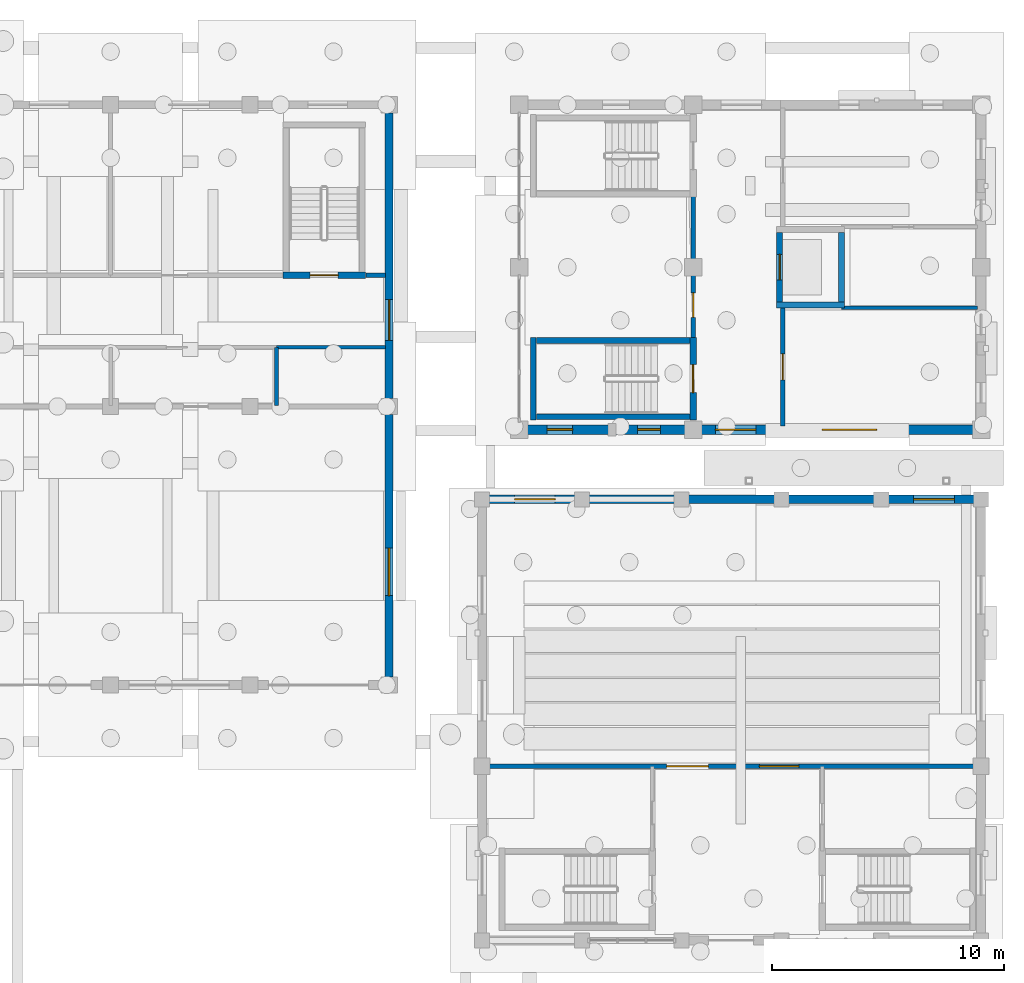
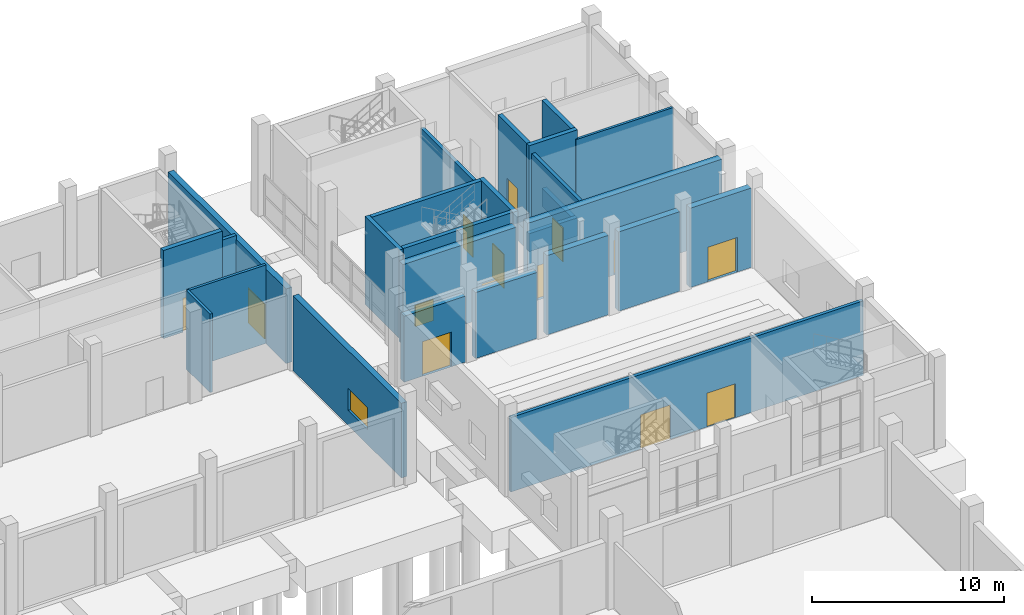
# One storey, part 43 of 60: 27 walls, 12 doors, 3 windows, 15 openings.
"""IFC4 building model written with IfcOpenShell, lengths in metres."""

from ifc_helpers import new_model, si_unit, direction, frame, frame_2d, origin, place, context, subcontext, project, spatial, rectangle, extrude, material, layer, layer_set, type_object, element, fill, save


model = new_model("IFC4")

# Units and contexts
model_context = context("Model", 3, precision=1e-05, world=origin(), true_north=direction((0.0, 1.0)))
body_context = subcontext(model_context, "Body", "Model", "MODEL_VIEW")
ifc_project = project(units=[si_unit("LENGTHUNIT", "METRE"), si_unit("AREAUNIT", "SQUARE_METRE"), si_unit("VOLUMEUNIT", "CUBIC_METRE"), si_unit("PLANEANGLEUNIT", "RADIAN"), si_unit("MASSUNIT", "GRAM", prefix="KILO")], contexts=[model_context])

# Site, building, storey
site_placement = place(None, origin())
site = spatial("IfcSite", under=ifc_project, at=site_placement, CompositionType="ELEMENT")
building_placement = place(site_placement, origin())
building = spatial("IfcBuilding", under=site, at=building_placement, Name="Trellovar Central Fire Station", CompositionType="ELEMENT")
storey_placement = place(building_placement, origin())
storey = spatial("IfcBuildingStorey", under=building, at=storey_placement, Name="L01", CompositionType="ELEMENT", Elevation=0.0)

# Wall, openings, windows
ifc_material_1 = material(Name="Catalan polychrome brickwork with insulated cavity", Category="masonry")
ifc_layer_1 = layer(ifc_material_1, 0.419921875)
ifc_layer_set_1 = layer_set([ifc_layer_1], Name="Catalan polychrome brickwork with insulated cavity")
wall_type_1 = type_object("IfcWallType", Name="EW-1", PredefinedType="STANDARD", material=ifc_layer_set_1)
wall_1_placement = place(storey_placement, frame((141.449951171875, 59.0, 0.0), z_axis=(0.0, 0.0, 1.0), x_axis=(1.0, 0.0, 0.0)))
wall_1 = element("IfcWall", 1, at=wall_1_placement, inside=storey, type_object=wall_type_1, Name="V2 L01 south west bay wall", PredefinedType="STANDARD", context=body_context, shape_type="SweptSolid", body=[
    extrude(rectangle(XDim=6.800048828125, YDim=0.419921875, at=frame_2d((3.39990234375, 0.0))), origin(), (0.0, 0.0, 1.0), 5.10009765625),
])
opening_1_placement = place(wall_1_placement, frame((0.85009765625, 0.0, 0.75)))
opening_1 = element("IfcOpeningElement", 2, at=opening_1_placement, cuts=wall_1, Name="Opening W-17", PredefinedType="OPENING", context=body_context, shape_type="SweptSolid", body=[
    extrude(rectangle(XDim=1.10009765625, YDim=1.35009765625, at=frame_2d((0.550048828125, 0.675048828125))), frame((0.0, 0.219970703125, 0.0), z_axis=(0.0, -1.0, 0.0), x_axis=(1.0, 0.0, 0.0)), (0.0, 0.0, 1.0), 0.43994140625),
])
opening_2_placement = place(wall_1_placement, frame((4.75, 0.0, 0.75)))
opening_2 = element("IfcOpeningElement", 3, at=opening_2_placement, cuts=wall_1, Name="Opening W-20", PredefinedType="OPENING", context=body_context, shape_type="SweptSolid", body=[
    extrude(rectangle(XDim=0.97998046875, YDim=1.449951171875, at=frame_2d((0.489990234375, 0.72509765625))), frame((0.0, 0.219970703125, 0.0), z_axis=(0.0, -1.0, 0.0), x_axis=(1.0, 0.0, 0.0)), (0.0, 0.0, 1.0), 0.43994140625),
])
ifc_material_2 = material(Name="Thermally broken bronze anodized aluminum", Category="aluminium")
window_type_1 = type_object("IfcWindowType", Name="WIN-17", PartitioningType="SINGLE_PANEL", PredefinedType="WINDOW", material=ifc_material_2)
window_1_placement = place(opening_1_placement, origin())
window_1 = element("IfcWindow", 4, at=window_1_placement, inside=storey, type_object=window_type_1, Name="L01 window W-17", OverallHeight=1.35009765625, OverallWidth=1.10009765625, PartitioningType="SINGLE_PANEL", PredefinedType="WINDOW", context=body_context, shape_type="SweptSolid", body=[
    extrude(rectangle(XDim=1.10009765625, YDim=1.35009765625, at=frame_2d((0.550048828125, 0.675048828125))), frame((0.0, 0.030029296875, 0.0), z_axis=(0.0, -1.0, 0.0), x_axis=(1.0, 0.0, 0.0)), (0.0, 0.0, 1.0), 0.06005859375),
])
fill(opening_1, window_1)
ifc_material_3 = material(Name="Thermally broken bronze anodized aluminum", Category="aluminium")
window_type_2 = type_object("IfcWindowType", Name="WIN-20", PartitioningType="SINGLE_PANEL", PredefinedType="WINDOW", material=ifc_material_3)
window_2_placement = place(opening_2_placement, origin())
window_2 = element("IfcWindow", 5, at=window_2_placement, inside=storey, type_object=window_type_2, Name="L01 window W-20", OverallHeight=1.449951171875, OverallWidth=0.97998046875, PartitioningType="SINGLE_PANEL", PredefinedType="WINDOW", context=body_context, shape_type="SweptSolid", body=[
    extrude(rectangle(XDim=0.97998046875, YDim=1.449951171875, at=frame_2d((0.489990234375, 0.72509765625))), frame((0.0, 0.030029296875, 0.0), z_axis=(0.0, -1.0, 0.0), x_axis=(1.0, 0.0, 0.0)), (0.0, 0.0, 1.0), 0.06005859375),
])
fill(opening_2, window_2)

# Wall, openings, doors
wall_2_placement = place(storey_placement, frame((148.949951171875, 59.0, 0.0), z_axis=(0.0, 0.0, 1.0), x_axis=(1.0, 0.0, 0.0)))
wall_2 = element("IfcWall", 6, at=wall_2_placement, inside=storey, type_object=wall_type_1, Name="V2 L01 south training deck wall", PredefinedType="STANDARD", context=body_context, shape_type="SweptSolid", body=[
    extrude(rectangle(XDim=11.699951171875, YDim=0.419921875, at=frame_2d((5.85009765625, 0.0))), origin(), (0.0, 0.0, 1.0), 5.10009765625),
])
opening_3_placement = place(wall_2_placement, frame((0.60009765625, 0.0, 0.0)))
opening_3 = element("IfcOpeningElement", 7, at=opening_3_placement, cuts=wall_2, Name="Opening EX-2", PredefinedType="OPENING", context=body_context, shape_type="SweptSolid", body=[
    extrude(rectangle(XDim=1.75, YDim=2.199951171875, at=frame_2d((0.875, 1.10009765625))), frame((0.0, 0.219970703125, 0.0), z_axis=(0.0, -1.0, 0.0), x_axis=(1.0, 0.0, 0.0)), (0.0, 0.0, 1.0), 0.43994140625),
])
opening_4_placement = place(wall_2_placement, frame((5.199951171875, 0.0, 0.0)))
opening_4 = element("IfcOpeningElement", 8, at=opening_4_placement, cuts=wall_2, Name="Opening GT-1", PredefinedType="OPENING", context=body_context, shape_type="SweptSolid", body=[
    extrude(rectangle(XDim=2.35009765625, YDim=2.199951171875, at=frame_2d((1.175048828125, 1.10009765625))), frame((0.0, 0.219970703125, 0.0), z_axis=(0.0, -1.0, 0.0), x_axis=(1.0, 0.0, 0.0)), (0.0, 0.0, 1.0), 0.43994140625),
])
ifc_material_4 = material(Name="Hollow galvanized steel with acoustic core", Category="steel")
door_type_1 = type_object("IfcDoorType", Name="DR-EXT2", OperationType="DOUBLE_DOOR_SINGLE_SWING", PredefinedType="DOOR", material=ifc_material_4)
door_1_placement = place(opening_3_placement, frame((1.75, 0.0, 0.0), z_axis=(0.0, 0.0, 1.0), x_axis=(-1.0, 0.0, 0.0)))
door_1 = element("IfcDoor", 9, at=door_1_placement, inside=storey, type_object=door_type_1, Name="Drill tower ground lobby yard exit", OperationType="DOUBLE_DOOR_SINGLE_SWING", OverallHeight=2.199951171875, OverallWidth=1.75, PredefinedType="DOOR", context=body_context, shape_type="SweptSolid", body=[
    extrude(rectangle(XDim=1.75, YDim=2.199951171875, at=frame_2d((0.875, 1.10009765625))), frame((0.0, 0.02490234375, 0.0), z_axis=(0.0, -1.0, 0.0), x_axis=(1.0, 0.0, 0.0)), (0.0, 0.0, 1.0), 0.050048828125),
])
fill(opening_3, door_1)
ifc_material_5 = material(Name="Patina bronze wrought metalwork", Category="metal")
door_type_2 = type_object("IfcDoorType", Name="DR-GATE1", OperationType="DOUBLE_DOOR_SINGLE_SWING", PredefinedType="DOOR", material=ifc_material_5)
door_2_placement = place(opening_4_placement, frame((2.35009765625, 0.0, 0.0), z_axis=(0.0, 0.0, 1.0), x_axis=(-1.0, 0.0, 0.0)))
door_2 = element("IfcDoor", 10, at=door_2_placement, inside=storey, type_object=door_type_2, Name="Hose staging hall yard double portal", OperationType="DOUBLE_DOOR_SINGLE_SWING", OverallHeight=2.199951171875, OverallWidth=2.35009765625, PredefinedType="DOOR", context=body_context, shape_type="SweptSolid", body=[
    extrude(rectangle(XDim=2.35009765625, YDim=2.199951171875, at=frame_2d((1.175048828125, 1.10009765625))), frame((0.0, 0.02490234375, 0.0), z_axis=(0.0, -1.0, 0.0), x_axis=(1.0, 0.0, 0.0)), (0.0, 0.0, 1.0), 0.050048828125),
])
fill(opening_4, door_2)

# Wall, opening, door
ifc_material_6 = material(Name="Catalan polychrome brickwork with insulated cavity", Category="masonry")
ifc_layer_2 = layer(ifc_material_6, 0.3798828125)
ifc_layer_set_2 = layer_set([ifc_layer_2], Name="Catalan polychrome brickwork with insulated cavity")
wall_type_2 = type_object("IfcWallType", Name="EW-2", PredefinedType="STANDARD", material=ifc_layer_set_2)
wall_3_placement = place(storey_placement, frame((143.5, 56.0, 0.0), z_axis=(0.0, 0.0, 1.0), x_axis=(-1.0, 0.0, 0.0)))
wall_3 = element("IfcWall", 11, at=wall_3_placement, inside=storey, type_object=wall_type_2, Name="V3 north stage wall 1", PredefinedType="STANDARD", context=body_context, shape_type="SweptSolid", body=[
    extrude(rectangle(XDim=3.699951171875, YDim=0.3798828125, at=frame_2d((1.85009765625, 0.0))), origin(), (0.0, 0.0, 1.0), 4.199951171875),
])
opening_5_placement = place(wall_3_placement, frame((0.85009765625, 0.0, 0.0)))
opening_5 = element("IfcOpeningElement", 12, at=opening_5_placement, cuts=wall_3, Name="Opening EX-2", PredefinedType="OPENING", context=body_context, shape_type="SweptSolid", body=[
    extrude(rectangle(XDim=1.75, YDim=2.199951171875, at=frame_2d((0.875, 1.10009765625))), frame((0.0, 0.199951171875, 0.0), z_axis=(0.0, -1.0, 0.0), x_axis=(1.0, 0.0, 0.0)), (0.0, 0.0, 1.0), 0.39990234375),
])
door_3_placement = place(opening_5_placement, frame((1.75, 0.0, 0.0), z_axis=(0.0, 0.0, 1.0), x_axis=(-1.0, 0.0, 0.0)))
door_3 = element("IfcDoor", 13, at=door_3_placement, inside=storey, type_object=door_type_1, Name="Auditorium north stage exit 1", OperationType="DOUBLE_DOOR_SINGLE_SWING", OverallHeight=2.199951171875, OverallWidth=1.75, PredefinedType="DOOR", context=body_context, shape_type="SweptSolid", body=[
    extrude(rectangle(XDim=1.75, YDim=2.199951171875, at=frame_2d((0.875, 1.10009765625))), frame((0.0, 0.02490234375, 0.0), z_axis=(0.0, -1.0, 0.0), x_axis=(1.0, 0.0, 0.0)), (0.0, 0.0, 1.0), 0.050048828125),
])
fill(opening_5, door_3)

# Walls
wall_4_placement = place(storey_placement, frame((147.800048828125, 56.0, 0.0), z_axis=(0.0, 0.0, 1.0), x_axis=(-1.0, 0.0, 0.0)))
element("IfcWall", 14, at=wall_4_placement, inside=storey, type_object=wall_type_2, Name="V3 north stage wall 2", PredefinedType="STANDARD", context=body_context, shape_type="SweptSolid", body=[
    extrude(rectangle(XDim=3.699951171875, YDim=0.3798828125, at=frame_2d((1.85009765625, 0.0))), origin(), (0.0, 0.0, 1.0), 4.199951171875),
])
wall_5_placement = place(storey_placement, frame((152.10009765625, 56.0, 0.0), z_axis=(0.0, 0.0, 1.0), x_axis=(-1.0, 0.0, 0.0)))
element("IfcWall", 15, at=wall_5_placement, inside=storey, type_object=wall_type_2, Name="V3 north stage wall 3", PredefinedType="STANDARD", context=body_context, shape_type="SweptSolid", body=[
    extrude(rectangle(XDim=3.7001953125, YDim=0.3798828125, at=frame_2d((1.85009765625, 0.0))), origin(), (0.0, 0.0, 1.0), 5.050048828125),
])
wall_6_placement = place(storey_placement, frame((156.39990234375, 56.0, 0.0), z_axis=(0.0, 0.0, 1.0), x_axis=(-1.0, 0.0, 0.0)))
element("IfcWall", 16, at=wall_6_placement, inside=storey, type_object=wall_type_2, Name="V3 north stage wall 4", PredefinedType="STANDARD", context=body_context, shape_type="SweptSolid", body=[
    extrude(rectangle(XDim=3.699951171875, YDim=0.3798828125, at=frame_2d((1.85009765625, 0.0))), origin(), (0.0, 0.0, 1.0), 5.050048828125),
])

# Wall, opening, door
wall_7_placement = place(storey_placement, frame((160.699951171875, 56.0, 0.0), z_axis=(0.0, 0.0, 1.0), x_axis=(-1.0, 0.0, 0.0)))
wall_7 = element("IfcWall", 17, at=wall_7_placement, inside=storey, type_object=wall_type_2, Name="V3 north stage wall 5", PredefinedType="STANDARD", context=body_context, shape_type="SweptSolid", body=[
    extrude(rectangle(XDim=3.699951171875, YDim=0.3798828125, at=frame_2d((1.85009765625, 0.0))), origin(), (0.0, 0.0, 1.0), 5.050048828125),
])
opening_6_placement = place(wall_7_placement, frame((0.85009765625, 0.0, 0.0)))
opening_6 = element("IfcOpeningElement", 18, at=opening_6_placement, cuts=wall_7, Name="Opening EX-2", PredefinedType="OPENING", context=body_context, shape_type="SweptSolid", body=[
    extrude(rectangle(XDim=1.75, YDim=2.199951171875, at=frame_2d((0.875, 1.10009765625))), frame((0.0, 0.199951171875, 0.0), z_axis=(0.0, -1.0, 0.0), x_axis=(1.0, 0.0, 0.0)), (0.0, 0.0, 1.0), 0.39990234375),
])
door_4_placement = place(opening_6_placement, frame((1.75, 0.0, 0.0), z_axis=(0.0, 0.0, 1.0), x_axis=(-1.0, 0.0, 0.0)))
door_4 = element("IfcDoor", 19, at=door_4_placement, inside=storey, type_object=door_type_1, Name="Auditorium north stage exit 5", OperationType="DOUBLE_DOOR_SINGLE_SWING", OverallHeight=2.199951171875, OverallWidth=1.75, PredefinedType="DOOR", context=body_context, shape_type="SweptSolid", body=[
    extrude(rectangle(XDim=1.75, YDim=2.199951171875, at=frame_2d((0.875, 1.10009765625))), frame((0.0, 0.02490234375, 0.0), z_axis=(0.0, -1.0, 0.0), x_axis=(1.0, 0.0, 0.0)), (0.0, 0.0, 1.0), 0.050048828125),
])
fill(opening_6, door_4)

# Wall, opening, window
ifc_material_7 = material(Name="Textured desert sandstone masonry", Category="masonry")
ifc_layer_3 = layer(ifc_material_7, 0.340087890625)
ifc_layer_set_3 = layer_set([ifc_layer_3], Name="Textured desert sandstone masonry")
wall_type_3 = type_object("IfcWallType", Name="EW-3", PredefinedType="STANDARD", material=ifc_layer_set_3)
wall_8_placement = place(storey_placement, frame((135.5, 48.35009765625, 0.0), z_axis=(0.0, 0.0, 1.0), x_axis=(0.0, 1.0, 0.0)))
wall_8 = element("IfcWall", 20, at=wall_8_placement, inside=storey, type_object=wall_type_3, Name="V6 L01 E workshop wall", PredefinedType="STANDARD", context=body_context, shape_type="SweptSolid", body=[
    extrude(rectangle(XDim=11.2998046875, YDim=0.340087890625, at=frame_2d((5.64990234375, 0.0))), origin(), (0.0, 0.0, 1.0), 4.749267578125),
])
opening_7_placement = place(wall_8_placement, frame((3.5, 0.0, 0.949951171875)))
opening_7 = element("IfcOpeningElement", 21, at=opening_7_placement, cuts=wall_8, Name="Opening W-15", PredefinedType="OPENING", context=body_context, shape_type="SweptSolid", body=[
    extrude(rectangle(XDim=2.050048828125, YDim=1.39990234375, at=frame_2d((1.02490234375, 0.699951171875))), frame((0.0, 0.179931640625, 0.0), z_axis=(0.0, -1.0, 0.0), x_axis=(1.0, 0.0, 0.0)), (0.0, 0.0, 1.0), 0.360107421875),
])
ifc_material_8 = material(Name="Thermally broken bronze anodized aluminum", Category="aluminium")
window_type_3 = type_object("IfcWindowType", Name="WIN-15", PartitioningType="DOUBLE_PANEL_VERTICAL", PredefinedType="WINDOW", material=ifc_material_8)
window_3_placement = place(opening_7_placement, origin())
window_3 = element("IfcWindow", 22, at=window_3_placement, inside=storey, type_object=window_type_3, Name="L01 window W-15", OverallHeight=1.39990234375, OverallWidth=2.050048828125, PartitioningType="DOUBLE_PANEL_VERTICAL", PredefinedType="WINDOW", context=body_context, shape_type="SweptSolid", body=[
    extrude(rectangle(XDim=2.050048828125, YDim=1.39990234375, at=frame_2d((1.02490234375, 0.699951171875))), frame((0.0, 0.030029296875, 0.0), z_axis=(0.0, -1.0, 0.0), x_axis=(1.0, 0.0, 0.0)), (0.0, 0.0, 1.0), 0.06005859375),
])
fill(opening_7, window_3)

# Wall, opening, door
wall_9_placement = place(storey_placement, frame((135.5, 60.35009765625, 0.0), z_axis=(0.0, 0.0, 1.0), x_axis=(0.0, 1.0, 0.0)))
wall_9 = element("IfcWall", 23, at=wall_9_placement, inside=storey, type_object=wall_type_3, Name="V6 L01 E north wall", PredefinedType="STANDARD", context=body_context, shape_type="SweptSolid", body=[
    extrude(rectangle(XDim=12.2998046875, YDim=0.340087890625, at=frame_2d((6.14990234375, 0.0))), origin(), (0.0, 0.0, 1.0), 4.749267578125),
])
opening_8_placement = place(wall_9_placement, frame((2.5, 0.0, 0.0)))
opening_8 = element("IfcOpeningElement", 24, at=opening_8_placement, cuts=wall_9, Name="Opening EX-2", PredefinedType="OPENING", context=body_context, shape_type="SweptSolid", body=[
    extrude(rectangle(XDim=1.75, YDim=2.199951171875, at=frame_2d((0.875, 1.10009765625))), frame((0.0, 0.179931640625, 0.0), z_axis=(0.0, -1.0, 0.0), x_axis=(1.0, 0.0, 0.0)), (0.0, 0.0, 1.0), 0.360107421875),
])
door_5_placement = place(opening_8_placement, frame((1.75, 0.0, 0.0), z_axis=(0.0, 0.0, 1.0), x_axis=(-1.0, 0.0, 0.0)))
door_5 = element("IfcDoor", 25, at=door_5_placement, inside=storey, type_object=door_type_1, Name="Fleet corridor E yard exit", OperationType="DOUBLE_DOOR_SINGLE_SWING", OverallHeight=2.199951171875, OverallWidth=1.75, PredefinedType="DOOR", context=body_context, shape_type="SweptSolid", body=[
    extrude(rectangle(XDim=1.75, YDim=2.199951171875, at=frame_2d((0.875, 1.10009765625))), frame((0.0, 0.02490234375, 0.0), z_axis=(0.0, -1.0, 0.0), x_axis=(1.0, 0.0, 0.0)), (0.0, 0.0, 1.0), 0.050048828125),
])
fill(opening_8, door_5)

# Wall
ifc_material_9 = material(Name="Acoustic concrete masonry unit", Category="masonry")
ifc_layer_4 = layer(ifc_material_9, 0.199951171875)
ifc_layer_set_4 = layer_set([ifc_layer_4], Name="Acoustic concrete masonry unit")
wall_type_4 = type_object("IfcWallType", Name="PT-1", PredefinedType="PARTITIONING", material=ifc_layer_set_4)
wall_10_placement = place(storey_placement, frame((134.5, 65.659912109375, 0.0), z_axis=(0.0, 0.0, 1.0), x_axis=(1.0, 0.0, 0.0)))
element("IfcWall", 26, at=wall_10_placement, inside=storey, type_object=wall_type_4, Name="V6 L01 NE stub wall", PredefinedType="PARTITIONING", context=body_context, shape_type="SweptSolid", body=[
    extrude(rectangle(XDim=0.85009765625, YDim=0.199951171875, at=frame_2d((0.425048828125, 0.0))), origin(), (0.0, 0.0, 1.0), 5.0),
])

# Wall, openings, doors
wall_11_placement = place(storey_placement, frame((139.64990234375, 44.5, 0.0), z_axis=(0.0, 0.0, 1.0), x_axis=(1.0, 0.0, 0.0)))
wall_11 = element("IfcWall", 27, at=wall_11_placement, inside=storey, type_object=wall_type_4, Name="V3 L01 auditorium acoustic wall", PredefinedType="PARTITIONING", context=body_context, shape_type="SweptSolid", body=[
    extrude(rectangle(XDim=21.2001953125, YDim=0.199951171875, at=frame_2d((10.60009765625, 0.0))), origin(), (0.0, 0.0, 1.0), 4.739990234375),
])
opening_9_placement = place(wall_11_placement, frame((7.800048828125, 0.0, 0.0)))
opening_9 = element("IfcOpeningElement", 28, at=opening_9_placement, cuts=wall_11, Name="Opening ID-3", PredefinedType="OPENING", context=body_context, shape_type="SweptSolid", body=[
    extrude(rectangle(XDim=1.800048828125, YDim=2.179931640625, at=frame_2d((0.89990234375, 1.08984375))), frame((0.0, 0.10986328125, 0.0), z_axis=(0.0, -1.0, 0.0), x_axis=(1.0, 0.0, 0.0)), (0.0, 0.0, 1.0), 0.219970703125),
])
opening_10_placement = place(wall_11_placement, frame((11.800048828125, 0.0, 0.0)))
opening_10 = element("IfcOpeningElement", 29, at=opening_10_placement, cuts=wall_11, Name="Opening ID-10", PredefinedType="OPENING", context=body_context, shape_type="SweptSolid", body=[
    extrude(rectangle(XDim=1.699951171875, YDim=2.159912109375, at=frame_2d((0.85009765625, 1.080078125))), frame((0.0, 0.10986328125, 0.0), z_axis=(0.0, -1.0, 0.0), x_axis=(1.0, 0.0, 0.0)), (0.0, 0.0, 1.0), 0.219970703125),
])
ifc_material_10 = material(Name="Hollow galvanized steel with acoustic core", Category="steel")
door_type_3 = type_object("IfcDoorType", Name="DR-INT10", OperationType="DOUBLE_DOOR_SINGLE_SWING", PredefinedType="DOOR", material=ifc_material_10)
door_6_placement = place(opening_10_placement, origin())
door_6 = element("IfcDoor", 30, at=door_6_placement, inside=storey, type_object=door_type_3, Name="Civic lecture auditorium main double doors E", OperationType="DOUBLE_DOOR_SINGLE_SWING", OverallHeight=2.159912109375, OverallWidth=1.699951171875, PredefinedType="DOOR", context=body_context, shape_type="SweptSolid", body=[
    extrude(rectangle(XDim=1.699951171875, YDim=2.159912109375, at=frame_2d((0.85009765625, 1.080078125))), frame((0.0, 0.02490234375, 0.0), z_axis=(0.0, -1.0, 0.0), x_axis=(1.0, 0.0, 0.0)), (0.0, 0.0, 1.0), 0.050048828125),
])
fill(opening_10, door_6)
ifc_material_11 = material(Name="Hollow galvanized steel with acoustic core", Category="steel")
door_type_4 = type_object("IfcDoorType", Name="DR-INT3", OperationType="DOUBLE_DOOR_SINGLE_SWING", PredefinedType="DOOR", material=ifc_material_11)
door_7_placement = place(opening_9_placement, origin())
door_7 = element("IfcDoor", 31, at=door_7_placement, inside=storey, type_object=door_type_4, Name="Civic lecture auditorium main double doors W", OperationType="DOUBLE_DOOR_SINGLE_SWING", OverallHeight=2.179931640625, OverallWidth=1.800048828125, PredefinedType="DOOR", context=body_context, shape_type="SweptSolid", body=[
    extrude(rectangle(XDim=1.800048828125, YDim=2.179931640625, at=frame_2d((0.89990234375, 1.08984375))), frame((0.0, 0.02490234375, 0.0), z_axis=(0.0, -1.0, 0.0), x_axis=(1.0, 0.0, 0.0)), (0.0, 0.0, 1.0), 0.050048828125),
])
fill(opening_9, door_7)

# Wall, opening, door
wall_12_placement = place(storey_placement, frame((148.60009765625, 62.840087890625, 0.0), z_axis=(0.0, 0.0, 1.0), x_axis=(0.0, 1.0, 0.0)))
wall_12 = element("IfcWall", 32, at=wall_12_placement, inside=storey, type_object=wall_type_4, Name="V2 L01 west lab corridor wall", PredefinedType="PARTITIONING", context=body_context, shape_type="SweptSolid", body=[
    extrude(rectangle(XDim=6.31982421875, YDim=0.199951171875, at=frame_2d((3.159912109375, 0.0))), origin(), (0.0, 0.0, 1.0), 5.050048828125),
])
opening_11_placement = place(wall_12_placement, frame((1.0, 0.0, 0.0)))
opening_11 = element("IfcOpeningElement", 33, at=opening_11_placement, cuts=wall_12, Name="Opening ID-5", PredefinedType="OPENING", context=body_context, shape_type="SweptSolid", body=[
    extrude(rectangle(XDim=1.050048828125, YDim=2.139892578125, at=frame_2d((0.52490234375, 1.06982421875))), frame((0.0, 0.10986328125, 0.0), z_axis=(0.0, -1.0, 0.0), x_axis=(1.0, 0.0, 0.0)), (0.0, 0.0, 1.0), 0.219970703125),
])
ifc_material_12 = material(Name="Hollow galvanized steel with acoustic core", Category="steel")
door_type_5 = type_object("IfcDoorType", Name="DR-INT5", OperationType="SINGLE_SWING_LEFT", PredefinedType="DOOR", material=ifc_material_12)
door_8_placement = place(opening_11_placement, origin())
door_8 = element("IfcDoor", 34, at=door_8_placement, inside=storey, type_object=door_type_5, Name="V2 L01 west training lab door", OperationType="SINGLE_SWING_LEFT", OverallHeight=2.139892578125, OverallWidth=1.050048828125, PredefinedType="DOOR", context=body_context, shape_type="SweptSolid", body=[
    extrude(rectangle(XDim=1.050048828125, YDim=2.139892578125, at=frame_2d((0.52490234375, 1.06982421875))), frame((0.0, 0.02490234375, 0.0), z_axis=(0.0, -1.0, 0.0), x_axis=(1.0, 0.0, 0.0)), (0.0, 0.0, 1.0), 0.050048828125),
])
fill(opening_11, door_8)

wall_13_placement = place(storey_placement, frame((152.449951171875, 59.14990234375, 0.0), z_axis=(0.0, 0.0, 1.0), x_axis=(0.0, 1.0, 0.0)))
wall_13 = element("IfcWall", 35, at=wall_13_placement, inside=storey, type_object=wall_type_4, Name="V2 L01 south deck corridor wall", PredefinedType="PARTITIONING", context=body_context, shape_type="SweptSolid", body=[
    extrude(rectangle(XDim=5.22021484375, YDim=0.199951171875, at=frame_2d((2.610107421875, 0.0))), origin(), (0.0, 0.0, 1.0), 5.050048828125),
])
opening_12_placement = place(wall_13_placement, frame((2.0, 0.0, 0.0)))
opening_12 = element("IfcOpeningElement", 36, at=opening_12_placement, cuts=wall_13, Name="Opening ID-12", PredefinedType="OPENING", context=body_context, shape_type="SweptSolid", body=[
    extrude(rectangle(XDim=1.1201171875, YDim=2.14990234375, at=frame_2d((0.56005859375, 1.074951171875))), frame((0.0, 0.10986328125, 0.0), z_axis=(0.0, -1.0, 0.0), x_axis=(1.0, 0.0, 0.0)), (0.0, 0.0, 1.0), 0.219970703125),
])
ifc_material_13 = material(Name="Hollow galvanized steel with acoustic core", Category="steel")
door_type_6 = type_object("IfcDoorType", Name="DR-INT12", OperationType="SINGLE_SWING_LEFT", PredefinedType="DOOR", material=ifc_material_13)
door_9_placement = place(opening_12_placement, origin())
door_9 = element("IfcDoor", 37, at=door_9_placement, inside=storey, type_object=door_type_6, Name="V2 L01 south training deck door", OperationType="SINGLE_SWING_RIGHT", OverallHeight=2.14990234375, OverallWidth=1.1201171875, PredefinedType="DOOR", context=body_context, shape_type="SweptSolid", body=[
    extrude(rectangle(XDim=1.1201171875, YDim=2.14990234375, at=frame_2d((0.56005859375, 1.074951171875))), frame((0.0, 0.02490234375, 0.0), z_axis=(0.0, -1.0, 0.0), x_axis=(1.0, 0.0, 0.0)), (0.0, 0.0, 1.0), 0.050048828125),
])
fill(opening_12, door_9)

# Walls
ifc_material_14 = material(Name="Acoustic concrete masonry unit", Category="masonry")
ifc_layer_5 = layer(ifc_material_14, 0.159912109375)
ifc_layer_set_5 = layer_set([ifc_layer_5], Name="Acoustic concrete masonry unit")
wall_type_5 = type_object("IfcWallType", Name="PT-2", PredefinedType="PARTITIONING", material=ifc_layer_set_5)
wall_14_placement = place(storey_placement, frame((130.64990234375, 62.550048828125, 0.0), z_axis=(0.0, 0.0, 1.0), x_axis=(1.0, 0.0, 0.0)))
element("IfcWall", 38, at=wall_14_placement, inside=storey, type_object=wall_type_5, Name="V6 L01 south corridor wall", PredefinedType="PARTITIONING", context=body_context, shape_type="SweptSolid", body=[
    extrude(rectangle(XDim=4.7001953125, YDim=0.159912109375, at=frame_2d((2.35009765625, 0.0))), origin(), (0.0, 0.0, 1.0), 5.0),
])
wall_15_placement = place(storey_placement, frame((130.64990234375, 60.050048828125, 0.0), z_axis=(0.0, 0.0, 1.0), x_axis=(0.0, 1.0, 0.0)))
element("IfcWall", 39, at=wall_15_placement, inside=storey, type_object=wall_type_5, Name="V6 L01 WC divider E", PredefinedType="PARTITIONING", context=body_context, shape_type="SweptSolid", body=[
    extrude(rectangle(XDim=2.5, YDim=0.159912109375, at=frame_2d((1.25, 0.0))), origin(), (0.0, 0.0, 1.0), 5.0),
])
ifc_material_15 = material(Name="Fire-rated acoustic gypsum stud partition", Category="gypsum")
ifc_layer_6 = layer(ifc_material_15, 0.14990234375)
ifc_layer_set_6 = layer_set([ifc_layer_6], Name="Fire-rated acoustic gypsum stud partition")
wall_type_6 = type_object("IfcWallType", Name="PT-6", PredefinedType="PARTITIONING", material=ifc_layer_set_6)
wall_16_placement = place(storey_placement, frame((154.97998046875, 64.25, 0.0), z_axis=(0.0, 0.0, 1.0), x_axis=(1.0, 0.0, 0.0)))
element("IfcWall", 40, at=wall_16_placement, inside=storey, type_object=wall_type_6, Name="V2 L01 restroom south wall", PredefinedType="PARTITIONING", context=body_context, shape_type="SweptSolid", body=[
    extrude(rectangle(XDim=5.8701171875, YDim=0.14990234375, at=frame_2d((2.93505859375, 0.0))), origin(), (0.0, 0.0, 1.0), 5.050048828125),
])

# Wall, opening, door
ifc_material_16 = material(Name="Concrete C40/50", Category="concrete")
ifc_layer_7 = layer(ifc_material_16, 0.280029296875)
ifc_layer_set_7 = layer_set([ifc_layer_7], Name="Concrete C40/50")
wall_type_7 = type_object("IfcWallType", Name="SW-1", PredefinedType="SHEAR", material=ifc_layer_set_7)
wall_17_placement = place(storey_placement, frame((148.590087890625, 62.97998046875, 0.0), z_axis=(0.0, 0.0, 1.0), x_axis=(0.0, -1.0, 0.0)))
wall_17 = element("IfcWall", 41, at=wall_17_placement, inside=storey, type_object=wall_type_7, Name="Stair ST-05 L01 front corridor wall", PredefinedType="SHEAR", context=body_context, shape_type="SweptSolid", body=[
    extrude(rectangle(XDim=3.56005859375, YDim=0.280029296875, at=frame_2d((1.780029296875, 0.0))), origin(), (0.0, 0.0, 1.0), 5.60009765625),
])
opening_13_placement = place(wall_17_placement, frame((1.179931640625, 0.0, 0.0)))
opening_13 = element("IfcOpeningElement", 42, at=opening_13_placement, cuts=wall_17, Name="Opening SD-1", PredefinedType="OPENING", context=body_context, shape_type="SweptSolid", body=[
    extrude(rectangle(XDim=1.199951171875, YDim=2.14990234375, at=frame_2d((0.60009765625, 1.074951171875))), frame((0.0, 0.14990234375, 0.0), z_axis=(0.0, -1.0, 0.0), x_axis=(1.0, 0.0, 0.0)), (0.0, 0.0, 1.0), 0.300048828125),
])
ifc_material_17 = material(Name="Hollow galvanized steel with acoustic core", Category="steel")
door_type_7 = type_object("IfcDoorType", Name="DR-STR1", OperationType="SINGLE_SWING_LEFT", PredefinedType="DOOR", material=ifc_material_17)
door_10_placement = place(opening_13_placement, origin())
door_10 = element("IfcDoor", 43, at=door_10_placement, inside=storey, type_object=door_type_7, Name="Stair ST-05 L01 fire door", OperationType="SINGLE_SWING_LEFT", OverallHeight=2.14990234375, OverallWidth=1.199951171875, PredefinedType="DOOR", context=body_context, shape_type="SweptSolid", body=[
    extrude(rectangle(XDim=1.199951171875, YDim=2.14990234375, at=frame_2d((0.60009765625, 1.074951171875))), frame((0.0, 0.02490234375, 0.0), z_axis=(0.0, -1.0, 0.0), x_axis=(1.0, 0.0, 0.0)), (0.0, 0.0, 1.0), 0.050048828125),
])
fill(opening_13, door_10)

wall_18_placement = place(storey_placement, frame((134.47998046875, 65.659912109375, 0.0), z_axis=(0.0, 0.0, 1.0), x_axis=(-1.0, 0.0, 0.0)))
wall_18 = element("IfcWall", 44, at=wall_18_placement, inside=storey, type_object=wall_type_7, Name="Stair ST-08 L01 front corridor wall", PredefinedType="SHEAR", context=body_context, shape_type="SweptSolid", body=[
    extrude(rectangle(XDim=3.56005859375, YDim=0.280029296875, at=frame_2d((1.780029296875, 0.0))), origin(), (0.0, 0.0, 1.0), 5.60009765625),
])
opening_14_placement = place(wall_18_placement, frame((1.179931640625, 0.0, 0.0)))
opening_14 = element("IfcOpeningElement", 45, at=opening_14_placement, cuts=wall_18, Name="Opening SD-1", PredefinedType="OPENING", context=body_context, shape_type="SweptSolid", body=[
    extrude(rectangle(XDim=1.199951171875, YDim=2.14990234375, at=frame_2d((0.60009765625, 1.074951171875))), frame((0.0, 0.14990234375, 0.0), z_axis=(0.0, -1.0, 0.0), x_axis=(1.0, 0.0, 0.0)), (0.0, 0.0, 1.0), 0.300048828125),
])
door_11_placement = place(opening_14_placement, origin())
door_11 = element("IfcDoor", 46, at=door_11_placement, inside=storey, type_object=door_type_7, Name="Stair ST-08 L01 fire door", OperationType="SINGLE_SWING_LEFT", OverallHeight=2.14990234375, OverallWidth=1.199951171875, PredefinedType="DOOR", context=body_context, shape_type="SweptSolid", body=[
    extrude(rectangle(XDim=1.199951171875, YDim=2.14990234375, at=frame_2d((0.60009765625, 1.074951171875))), frame((0.0, 0.02490234375, 0.0), z_axis=(0.0, -1.0, 0.0), x_axis=(1.0, 0.0, 0.0)), (0.0, 0.0, 1.0), 0.050048828125),
])
fill(opening_14, door_11)

# Walls
ifc_material_18 = material(Name="Concrete C40/50", Category="concrete")
ifc_layer_8 = layer(ifc_material_18, 0.25)
ifc_layer_set_8 = layer_set([ifc_layer_8], Name="Concrete C40/50")
wall_type_8 = type_object("IfcWallType", Name="SW-2", PredefinedType="SHEAR", material=ifc_layer_set_8)
wall_19_placement = place(storey_placement, frame((141.7099609375, 59.419921875, 0.0), z_axis=(0.0, 0.0, 1.0), x_axis=(0.0, 1.0, 0.0)))
element("IfcWall", 47, at=wall_19_placement, inside=storey, type_object=wall_type_8, Name="Stair ST-05 L01 rear wall", PredefinedType="SHEAR", context=body_context, shape_type="SweptSolid", body=[
    extrude(rectangle(XDim=3.56005859375, YDim=0.25, at=frame_2d((1.780029296875, 0.0))), origin(), (0.0, 0.0, 1.0), 5.60009765625),
])
for number, where, z_axis, x_axis, name in (
    (48, (148.449951171875, 62.840087890625, 0.0), (0.0, 0.0, 1.0), (-1.0, 0.0, 0.0), "Stair ST-05 L01 left wall"),
    (49, (141.85009765625, 59.56005859375, 0.0), (0.0, 0.0, 1.0), (1.0, 0.0, 0.0), "Stair ST-05 L01 right wall"),
):
    element("IfcWall", number, at=place(storey_placement, frame(where, z_axis=z_axis, x_axis=x_axis)), inside=storey, type_object=wall_type_8, Name=name, PredefinedType="SHEAR", context=body_context, shape_type="SweptSolid", body=[
        extrude(rectangle(XDim=6.599853515625, YDim=0.25, at=frame_2d((3.2998046875, 0.0))), origin(), (0.0, 0.0, 1.0), 5.60009765625),
    ])
ifc_material_19 = material(Name="Concrete C40/50", Category="concrete")
ifc_layer_9 = layer(ifc_material_19, 0.260009765625)
ifc_layer_set_9 = layer_set([ifc_layer_9], Name="Concrete C40/50")
wall_type_9 = type_object("IfcWallType", Name="SW-4", PredefinedType="SHEAR", material=ifc_layer_set_9)
wall_20_placement = place(storey_placement, frame((152.18994140625, 64.3701171875, -1.14990234375), z_axis=(0.0, 0.0, 1.0), x_axis=(1.0, 0.0, 0.0)))
element("IfcWall", 50, at=wall_20_placement, inside=storey, type_object=wall_type_9, Name="Lift EL-04 pit wall S", PredefinedType="SHEAR", context=body_context, shape_type="SweptSolid", body=[
    extrude(rectangle(XDim=2.920166015625, YDim=0.260009765625, at=frame_2d((1.4599609375, 0.0))), origin(), (0.0, 0.0, 1.0), 1.14990234375),
])
for number, where, z_axis, x_axis, name in (
    (51, (152.320068359375, 67.5, -1.14990234375), (0.0, 0.0, 1.0), (0.0, -1.0, 0.0), "Lift EL-04 pit wall W"),
    (52, (154.97998046875, 64.5, -1.14990234375), (0.0, 0.0, 1.0), (0.0, 1.0, 0.0), "Lift EL-04 pit wall E"),
):
    element("IfcWall", number, at=place(storey_placement, frame(where, z_axis=z_axis, x_axis=x_axis)), inside=storey, type_object=wall_type_9, Name=name, PredefinedType="SHEAR", context=body_context, shape_type="SweptSolid", body=[
        extrude(rectangle(XDim=3.0, YDim=0.260009765625, at=frame_2d((1.5, 0.0))), origin(), (0.0, 0.0, 1.0), 1.14990234375),
    ])
wall_21_placement = place(storey_placement, frame((152.18994140625, 64.3701171875, 0.0), z_axis=(0.0, 0.0, 1.0), x_axis=(1.0, 0.0, 0.0)))
element("IfcWall", 53, at=wall_21_placement, inside=storey, type_object=wall_type_9, Name="Lift EL-04 L01 S wall", PredefinedType="SHEAR", context=body_context, shape_type="SweptSolid", body=[
    extrude(rectangle(XDim=2.920166015625, YDim=0.260009765625, at=frame_2d((1.4599609375, 0.0))), origin(), (0.0, 0.0, 1.0), 5.60009765625),
])

# Wall, opening, door
wall_22_placement = place(storey_placement, frame((152.320068359375, 67.5, 0.0), z_axis=(0.0, 0.0, 1.0), x_axis=(0.0, -1.0, 0.0)))
wall_22 = element("IfcWall", 54, at=wall_22_placement, inside=storey, type_object=wall_type_9, Name="Lift EL-04 L01 W wall", PredefinedType="SHEAR", context=body_context, shape_type="SweptSolid", body=[
    extrude(rectangle(XDim=3.0, YDim=0.260009765625, at=frame_2d((1.5, 0.0))), origin(), (0.0, 0.0, 1.0), 5.60009765625),
])
opening_15_placement = place(wall_22_placement, frame((0.949951171875, 0.0, 0.0)))
opening_15 = element("IfcOpeningElement", 55, at=opening_15_placement, cuts=wall_22, Name="Opening LD-1", PredefinedType="OPENING", context=body_context, shape_type="SweptSolid", body=[
    extrude(rectangle(XDim=1.10009765625, YDim=2.14990234375, at=frame_2d((0.550048828125, 1.074951171875))), frame((0.0, 0.139892578125, 0.0), z_axis=(0.0, -1.0, 0.0), x_axis=(1.0, 0.0, 0.0)), (0.0, 0.0, 1.0), 0.280029296875),
])
ifc_material_20 = material(Name="Brushed stainless steel", Category="steel")
door_type_8 = type_object("IfcDoorType", Name="DR-LFT1", OperationType="SLIDING_TO_LEFT", PredefinedType="DOOR", material=ifc_material_20)
door_12_placement = place(opening_15_placement, origin())
door_12 = element("IfcDoor", 56, at=door_12_placement, inside=storey, type_object=door_type_8, Name="Elevator EL-04 L01 sliding landing door", OperationType="SLIDING_TO_LEFT", OverallHeight=2.14990234375, OverallWidth=1.10009765625, PredefinedType="DOOR", context=body_context, shape_type="SweptSolid", body=[
    extrude(rectangle(XDim=1.10009765625, YDim=2.14990234375, at=frame_2d((0.550048828125, 1.074951171875))), frame((0.0, 0.02490234375, 0.0), z_axis=(0.0, -1.0, 0.0), x_axis=(1.0, 0.0, 0.0)), (0.0, 0.0, 1.0), 0.050048828125),
])
fill(opening_15, door_12)

# Wall
wall_23_placement = place(storey_placement, frame((154.97998046875, 64.5, 0.0), z_axis=(0.0, 0.0, 1.0), x_axis=(0.0, 1.0, 0.0)))
element("IfcWall", 57, at=wall_23_placement, inside=storey, type_object=wall_type_9, Name="Lift EL-04 L01 E wall", PredefinedType="SHEAR", context=body_context, shape_type="SweptSolid", body=[
    extrude(rectangle(XDim=3.0, YDim=0.260009765625, at=frame_2d((1.5, 0.0))), origin(), (0.0, 0.0, 1.0), 5.60009765625),
])

save(model, "model.ifc")
